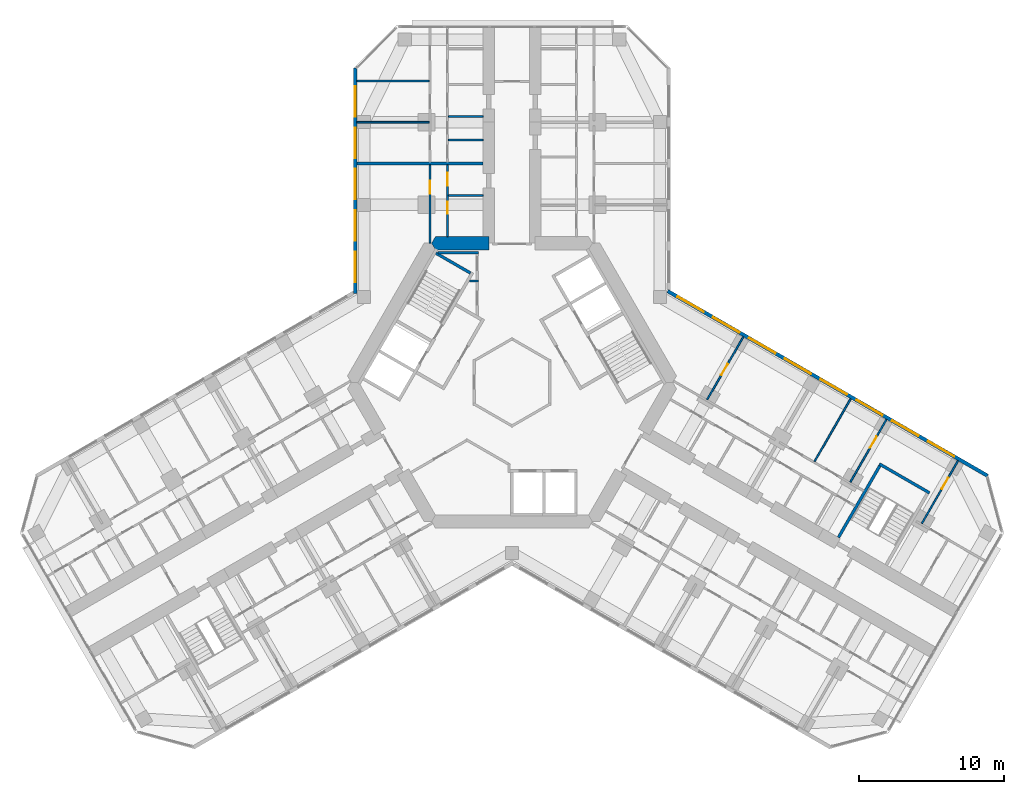
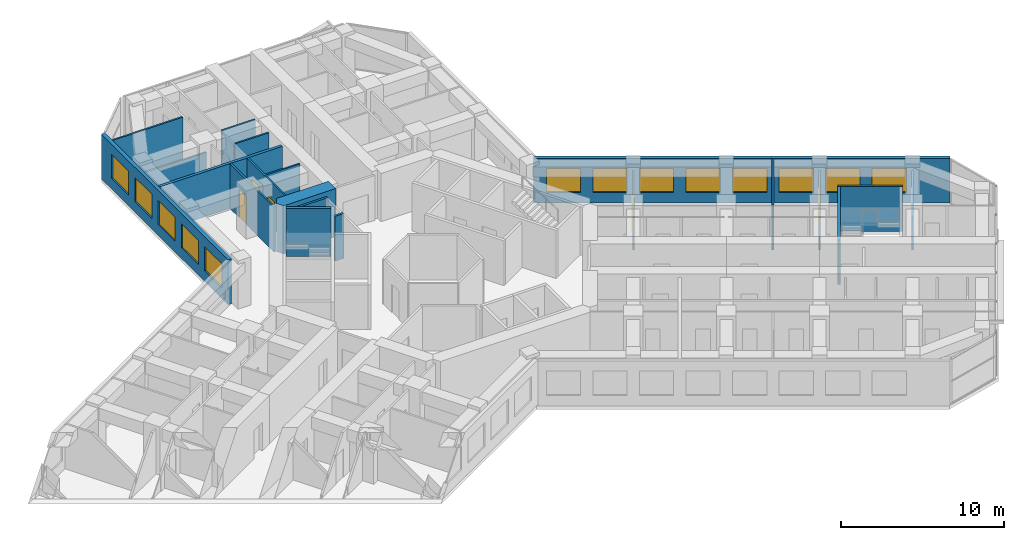
# One storey, part 16 of 19: 20 walls, 13 windows, 6 doors, 19 openings.
"""IFC4 building model written with IfcOpenShell, lengths in metres."""

import ifcopenshell
import ifcopenshell.guid

model = None  # the IFC model being written
_history = None  # IfcOwnerHistory: only IFC2X3 demands one
_inside = {}  # id of a spatial element -> (the spatial element, [elements in it])
_under = {}  # id of a project, library or spatial element -> (it, [spatial elements below it])
_declared = {}  # id of a project -> (the project, [libraries it declares])
_typed = {}  # id of a type object -> (the type object, [elements of that type])
_made_of = {}  # id of a material, layer set ... -> (it, [elements and type objects made of it])


def new_model(schema):
    """Start an empty IFC model of exactly this schema.

    Asked for "IFC4X3", IfcOpenShell would pick the latest addendum, in which some entities
    have other attributes; the version numbers below select the first issue.
    IFC2X3 requires an IfcOwnerHistory on every rooted entity: one is made here for all.
    """
    global model, _history
    if schema == "IFC4X3":
        model = ifcopenshell.file(schema_version=(4, 3, 0, 0))
    else:
        model = ifcopenshell.file(schema=schema)
    _inside.clear()
    _under.clear()
    _declared.clear()
    _typed.clear()
    _made_of.clear()
    _history = None
    if model.schema == "IFC2X3":
        org = make("IfcOrganization", Name="unknown")
        user = make(
            "IfcPersonAndOrganization",
            ThePerson=make("IfcPerson", FamilyName="unknown"),
            TheOrganization=org,
        )
        app = make(
            "IfcApplication",
            ApplicationDeveloper=org,
            Version="unknown",
            ApplicationFullName="unknown",
            ApplicationIdentifier="unknown",
        )
        _history = make(
            "IfcOwnerHistory",
            OwningUser=user,
            OwningApplication=app,
            ChangeAction="ADDED",
            CreationDate=0,
        )
    return model


def make(cls, **values):
    """One entity of the class cls with the attributes given. An attribute that is None is left unset."""
    return model.create_entity(
        cls, **{name: value for name, value in values.items() if value is not None}
    )


def rooted(cls, **values):
    """An entity with a GlobalId (a new one), such as an element, a storey or a relation."""
    return make(cls, GlobalId=ifcopenshell.guid.new(), OwnerHistory=_history, **values)


def si_unit(unit_type, name, prefix=None):
    """IfcSIUnit, for example si_unit("LENGTHUNIT", "METRE", prefix="MILLI")."""
    return make("IfcSIUnit", UnitType=unit_type, Prefix=prefix, Name=name)


def assignment(units):
    """IfcUnitAssignment: the units of a project."""
    return None if units is None else make("IfcUnitAssignment", Units=units)


def point(xyz):
    """IfcCartesianPoint."""
    return None if xyz is None else make("IfcCartesianPoint", Coordinates=xyz)


def direction(xyz):
    """IfcDirection."""
    return None if xyz is None else make("IfcDirection", DirectionRatios=xyz)


def frame(location, z_axis=None, x_axis=None):
    """IfcAxis2Placement3D, a coordinate frame: its origin and axes. An axis left out is left unset."""
    return make(
        "IfcAxis2Placement3D",
        Location=point(location),
        Axis=direction(z_axis),
        RefDirection=direction(x_axis),
    )


def frame_2d(location, x_axis=None):
    """IfcAxis2Placement2D, a coordinate frame in the plane: its origin and x axis."""
    return make(
        "IfcAxis2Placement2D", Location=point(location), RefDirection=direction(x_axis)
    )


def origin():
    """The frame at (0, 0, 0) with its axes left unset."""
    return frame((0.0, 0.0, 0.0))


def place(relative_to, where):
    """IfcLocalPlacement: puts the frame where relative to a parent placement (None: the world)."""
    return make(
        "IfcLocalPlacement", PlacementRelTo=relative_to, RelativePlacement=where
    )


def context(
    kind, dimensions, precision=None, world=None, true_north=None, identifier=None
):
    """IfcGeometricRepresentationContext, for example the 3D "Model" context."""
    return make(
        "IfcGeometricRepresentationContext",
        ContextIdentifier=identifier,
        ContextType=kind,
        CoordinateSpaceDimension=dimensions,
        Precision=precision,
        WorldCoordinateSystem=world,
        TrueNorth=true_north,
    )


def subcontext(parent, identifier, kind, view, scale=None):
    """IfcGeometricRepresentationSubContext, for example "Body" below "Model"."""
    return make(
        "IfcGeometricRepresentationSubContext",
        ContextIdentifier=identifier,
        ContextType=kind,
        ParentContext=parent,
        TargetScale=scale,
        TargetView=view,
    )


def project(units=None, contexts=None):
    """IfcProject with its units and contexts."""
    return rooted(
        "IfcProject",
        Name="project",
        RepresentationContexts=contexts,
        UnitsInContext=assignment(units),
    )


def spatial(cls, under=None, at=None, **own):
    """A site, building, storey or space (cls), placed at a placement, below another one or the project."""
    s = rooted(cls, ObjectPlacement=at, **own)
    if under is not None:
        _under.setdefault(under.id(), (under, []))[1].append(s)
    return s


def polyline(points):
    """IfcPolyline through the points."""
    return make("IfcPolyline", Points=[point(p) for p in points])


def profile(cls, at=None, kind="AREA", **sizes):
    """A parametric profile (cls). Its sizes go by their IFC names, for example OverallWidth=200.0."""
    return make(cls, ProfileType=kind, Position=at, **sizes)


def rectangle(**sizes):
    """IfcRectangleProfileDef."""
    return profile("IfcRectangleProfileDef", **sizes)


def outline(outer, holes=None, kind="AREA"):
    """IfcArbitraryClosedProfileDef: a profile drawn as a closed curve; with holes, ...WithVoids."""
    if holes is None:
        return make("IfcArbitraryClosedProfileDef", ProfileType=kind, OuterCurve=outer)
    return make(
        "IfcArbitraryProfileDefWithVoids",
        ProfileType=kind,
        OuterCurve=outer,
        InnerCurves=holes,
    )


def extrude(swept, where, along, depth):
    """IfcExtrudedAreaSolid: the profile swept, set in the frame where, extruded along a direction by depth."""
    return make(
        "IfcExtrudedAreaSolid",
        SweptArea=swept,
        Position=where,
        ExtrudedDirection=direction(along),
        Depth=depth,
    )


def shape(context_of_items, identifier, shape_type, items):
    """IfcShapeRepresentation: the items that make up one representation, for example the "Body"."""
    return make(
        "IfcShapeRepresentation",
        ContextOfItems=context_of_items,
        RepresentationIdentifier=identifier,
        RepresentationType=shape_type,
        Items=items,
    )


def material(Name=None, Category=None):
    """IfcMaterial."""
    return make("IfcMaterial", Name=Name, Category=Category)


def layer(
    of_material, thickness, ventilated=None, Name=None, Category=None, Priority=None
):
    """IfcMaterialLayer: one layer of a wall or slab, of a material (None: an air gap)."""
    return make(
        "IfcMaterialLayer",
        Material=of_material,
        LayerThickness=thickness,
        IsVentilated=ventilated,
        Name=Name,
        Category=Category,
        Priority=Priority,
    )


def layer_set(layers, Name=None):
    """IfcMaterialLayerSet."""
    return make("IfcMaterialLayerSet", MaterialLayers=layers, LayerSetName=Name)


def made_of(thing, what):
    """Note that an element or type object is made of a material, layer set ...; save() writes the relation."""
    if what is not None:
        _made_of.setdefault(what.id(), (what, []))[1].append(thing)
    return thing


def type_object(cls, material=None, **own):
    """A type object (cls), such as IfcWallType, which elements share."""
    return made_of(rooted(cls, **own), material)


def element(
    cls,
    number,
    at=None,
    inside=None,
    cuts=None,
    type_object=None,
    material=None,
    context=None,
    identifier="Body",
    shape_type=None,
    held_by="IfcProductDefinitionShape",
    body=None,
    shapes=None,
    **own,
):
    """One element of the class cls, such as IfcWall. Its Tag is "e" and its number.

    at: its placement. inside: the storey or other place that contains it. cuts: it is an
    opening in that element (IfcRelVoidsElement). A single representation is given by context,
    identifier, shape_type and body (its items); several are given by shapes. held_by: the class
    of the entity that holds the representations. save() writes the other relations.
    """
    e = rooted(cls, Tag="e%d" % number, ObjectPlacement=at, **own)
    if body is not None:
        shapes = [shape(context, identifier, shape_type, body)]
    if shapes is not None:
        e.Representation = make(held_by, Representations=shapes)
    if inside is not None:
        _inside.setdefault(inside.id(), (inside, []))[1].append(e)
    if cuts is not None:
        rooted(
            "IfcRelVoidsElement", RelatingBuildingElement=cuts, RelatedOpeningElement=e
        )
    if type_object is not None:
        _typed.setdefault(type_object.id(), (type_object, []))[1].append(e)
    return made_of(e, material)


def fill(opening, filler):
    """IfcRelFillsElement: the door or window that sits in an opening."""
    return rooted(
        "IfcRelFillsElement",
        RelatingOpeningElement=opening,
        RelatedBuildingElement=filler,
    )


def aggregate(whole, parts):
    """IfcRelAggregates: a whole, such as a stair, and the parts it consists of."""
    return rooted("IfcRelAggregates", RelatingObject=whole, RelatedObjects=parts)


def save(model, path):
    """Write the relations noted so far, then the file.

    IfcRelAggregates (storeys below a building ...), IfcRelContainedInSpatialStructure (elements
    in a storey), IfcRelDefinesByType, IfcRelAssociatesMaterial and IfcRelDeclares: one each for
    every whole, place, type object, material and project.
    """
    for whole, parts in _under.values():
        aggregate(whole, parts)
    for where, things in _inside.values():
        rooted(
            "IfcRelContainedInSpatialStructure",
            RelatedElements=things,
            RelatingStructure=where,
        )
    for kind, things in _typed.values():
        rooted("IfcRelDefinesByType", RelatedObjects=things, RelatingType=kind)
    for what, things in _made_of.values():
        rooted("IfcRelAssociatesMaterial", RelatedObjects=things, RelatingMaterial=what)
    for by, libraries in _declared.values():
        rooted("IfcRelDeclares", RelatingContext=by, RelatedDefinitions=libraries)
    model.write(path)


model = new_model("IFC4")

# Units and contexts
model_context = context("Model", 3, precision=1e-05, world=origin(), true_north=direction((0.0, 1.0)))
body_context = subcontext(model_context, "Body", "Model", "MODEL_VIEW")
ifc_project = project(units=[si_unit("LENGTHUNIT", "METRE"), si_unit("AREAUNIT", "SQUARE_METRE"), si_unit("VOLUMEUNIT", "CUBIC_METRE"), si_unit("PLANEANGLEUNIT", "RADIAN"), si_unit("MASSUNIT", "GRAM", prefix="KILO")], contexts=[model_context])

# Site, building, storey
site_placement = place(None, origin())
site = spatial("IfcSite", under=ifc_project, at=site_placement, CompositionType="ELEMENT")
building_placement = place(site_placement, origin())
building = spatial("IfcBuilding", under=site, at=building_placement, Name="Kosmar Iwan School Tower", CompositionType="ELEMENT")
storey_placement = place(building_placement, frame((0.0, 0.0, 158.0)))
storey = spatial("IfcBuildingStorey", under=building, at=storey_placement, Name="L39", CompositionType="ELEMENT", Elevation=158.0)

# Walls
ifc_material_1 = material(Name="Gypsum board on steel studs, fire-rated", Category="steel")
ifc_layer_1 = layer(ifc_material_1, 0.14990234375)
ifc_layer_set_1 = layer_set([ifc_layer_1], Name="Core room partition 150")
wall_type_1 = type_object("IfcWallType", Name="Core room partition 150", PredefinedType="PARTITIONING", material=ifc_layer_set_1)
wall_1_placement = place(storey_placement, frame((-2.324951171875, 6.985107421875, 0.0), z_axis=(0.0, 0.0, 1.0), x_axis=(-1.0, 0.0, 0.0)))
element("IfcWall", 1, at=wall_1_placement, inside=storey, type_object=wall_type_1, Name="Core room partition L39-CW2", PredefinedType="PARTITIONING", context=body_context, shape_type="SweptSolid", body=[
    extrude(rectangle(XDim=0.623779296875, YDim=0.14990234375, at=frame_2d((0.31201171875, 0.0))), origin(), (0.0, 0.0, 1.0), 3.35009765625),
])
wall_2_placement = place(storey_placement, frame((-5.089599609375, 8.93994140625, 0.0), z_axis=(0.0, 0.0, 1.0), x_axis=(1.0, 0.0, 0.0)))
element("IfcWall", 2, at=wall_2_placement, inside=storey, type_object=wall_type_1, Name="Core room partition L39-CW3", PredefinedType="PARTITIONING", context=body_context, shape_type="SweptSolid", body=[
    extrude(rectangle(XDim=2.7646484375, YDim=0.14990234375, at=frame_2d((1.38232421875, 0.0))), origin(), (0.0, 0.0, 1.0), 3.35009765625),
])
ifc_material_2 = material(Name="Concrete C50/60", Category="concrete")
ifc_layer_2 = layer(ifc_material_2, 0.89990234375)
ifc_layer_set_2 = layer_set([ifc_layer_2], Name="Core wall 900")
wall_type_2 = type_object("IfcWallType", Name="Core wall 900", PredefinedType="SHEAR", material=ifc_layer_set_2)
wall_3_placement = place(storey_placement, origin())
element("IfcWall", 3, at=wall_3_placement, inside=storey, type_object=wall_type_2, Name="Core wall F090b", PredefinedType="SHEAR", context=body_context, shape_type="SweptSolid", body=[
    extrude(outline(polyline([(-5.28271484375, 9.14990234375), (-1.60009765625, 9.14990234375), (-1.60009765625, 10.050048828125), (-5.28271484375, 10.050048828125), (-5.54248046875, 9.60009765625), (-5.28271484375, 9.14990234375)])), origin(), (0.0, 0.0, 1.0), 3.60009765625),
])

# Wall, openings, doors
ifc_material_3 = material(Name="Gypsum board on steel studs", Category="steel")
ifc_layer_3 = layer(ifc_material_3, 0.1201171875)
ifc_layer_set_3 = layer_set([ifc_layer_3], Name="Dwelling partition 120")
wall_type_3 = type_object("IfcWallType", Name="Dwelling partition 120", PredefinedType="PARTITIONING", material=ifc_layer_set_3)
wall_4_placement = place(storey_placement, frame((-4.449951171875, 10.050048828125, 0.0), z_axis=(0.0, 0.0, 1.0), x_axis=(0.0, 1.0, 0.0)))
wall_4 = element("IfcWall", 4, at=wall_4_placement, inside=storey, type_object=wall_type_3, Name="Partition L39-AL1-W1", PredefinedType="PARTITIONING", context=body_context, shape_type="SweptSolid", body=[
    extrude(rectangle(XDim=4.949951171875, YDim=0.1201171875, at=frame_2d((2.47509765625, 0.0))), origin(), (0.0, 0.0, 1.0), 3.35009765625),
])
opening_1_placement = place(wall_4_placement, frame((1.60009765625, 0.0, 0.0)))
opening_1 = element("IfcOpeningElement", 5, at=opening_1_placement, cuts=wall_4, Name="Opening D3", PredefinedType="OPENING", context=body_context, shape_type="SweptSolid", body=[
    extrude(rectangle(XDim=0.800048828125, YDim=2.10009765625, at=frame_2d((0.39990234375, 1.050048828125))), frame((0.0, 0.072021484375, 0.0), z_axis=(0.0, -1.0, 0.0), x_axis=(1.0, 0.0, 0.0)), (0.0, 0.0, 1.0), 0.14404296875),
])
opening_2_placement = place(wall_4_placement, frame((3.5, 0.0, 0.0)))
opening_2 = element("IfcOpeningElement", 6, at=opening_2_placement, cuts=wall_4, Name="Opening D2", PredefinedType="OPENING", context=body_context, shape_type="SweptSolid", body=[
    extrude(rectangle(XDim=0.89990234375, YDim=2.10009765625, at=frame_2d((0.449951171875, 1.050048828125))), frame((0.0, 0.072021484375, 0.0), z_axis=(0.0, -1.0, 0.0), x_axis=(1.0, 0.0, 0.0)), (0.0, 0.0, 1.0), 0.14404296875),
])
ifc_material_4 = material(Name="Timber door in timber frame", Category="wood")
door_type_1 = type_object("IfcDoorType", Name="Internal door 900x2100", OperationType="SINGLE_SWING_LEFT", PredefinedType="DOOR", material=ifc_material_4)
door_1_placement = place(opening_2_placement, origin())
door_1 = element("IfcDoor", 7, at=door_1_placement, inside=storey, type_object=door_type_1, Name="Entrance hall door L39-AL1-S2", OperationType="SINGLE_SWING_RIGHT", OverallHeight=2.10009765625, OverallWidth=0.89990234375, PredefinedType="DOOR", context=body_context, shape_type="SweptSolid", body=[
    extrude(rectangle(XDim=0.89990234375, YDim=2.10009765625, at=frame_2d((0.449951171875, 1.050048828125))), frame((0.0, 0.02490234375, 0.0), z_axis=(0.0, -1.0, 0.0), x_axis=(1.0, 0.0, 0.0)), (0.0, 0.0, 1.0), 0.050048828125),
])
fill(opening_2, door_1)
ifc_material_5 = material(Name="Timber door in timber frame", Category="wood")
door_type_2 = type_object("IfcDoorType", Name="Sanitary room door 800x2100", OperationType="SINGLE_SWING_LEFT", PredefinedType="DOOR", material=ifc_material_5)
door_2_placement = place(opening_1_placement, origin())
door_2 = element("IfcDoor", 8, at=door_2_placement, inside=storey, type_object=door_type_2, Name="Bathroom door L39-AL1-S1", OperationType="SINGLE_SWING_LEFT", OverallHeight=2.10009765625, OverallWidth=0.800048828125, PredefinedType="DOOR", context=body_context, shape_type="SweptSolid", body=[
    extrude(rectangle(XDim=0.800048828125, YDim=2.10009765625, at=frame_2d((0.39990234375, 1.050048828125))), frame((0.0, 0.02490234375, 0.0), z_axis=(0.0, -1.0, 0.0), x_axis=(1.0, 0.0, 0.0)), (0.0, 0.0, 1.0), 0.050048828125),
])
fill(opening_1, door_2)

# Wall, opening, door
wall_5_placement = place(storey_placement, frame((-5.64990234375, 9.60009765625, 0.0), z_axis=(0.0, 0.0, 1.0), x_axis=(0.0, 1.0, 0.0)))
wall_5 = element("IfcWall", 9, at=wall_5_placement, inside=storey, type_object=wall_type_3, Name="Partition L39-AL1-W2", PredefinedType="PARTITIONING", context=body_context, shape_type="SweptSolid", body=[
    extrude(rectangle(XDim=5.39990234375, YDim=0.1201171875, at=frame_2d((2.699951171875, 0.0))), origin(), (0.0, 0.0, 1.0), 3.35009765625),
])
opening_3_placement = place(wall_5_placement, frame((3.39990234375, 0.0, 0.0)))
opening_3 = element("IfcOpeningElement", 10, at=opening_3_placement, cuts=wall_5, Name="Opening D2", PredefinedType="OPENING", context=body_context, shape_type="SweptSolid", body=[
    extrude(rectangle(XDim=0.89990234375, YDim=2.10009765625, at=frame_2d((0.449951171875, 1.050048828125))), frame((0.0, 0.072021484375, 0.0), z_axis=(0.0, -1.0, 0.0), x_axis=(1.0, 0.0, 0.0)), (0.0, 0.0, 1.0), 0.14404296875),
])
door_3_placement = place(opening_3_placement, origin())
door_3 = element("IfcDoor", 11, at=door_3_placement, inside=storey, type_object=door_type_1, Name="Studio living room and kitchen door L39-AL1-F1", OperationType="SINGLE_SWING_RIGHT", OverallHeight=2.10009765625, OverallWidth=0.89990234375, PredefinedType="DOOR", context=body_context, shape_type="SweptSolid", body=[
    extrude(rectangle(XDim=0.89990234375, YDim=2.10009765625, at=frame_2d((0.449951171875, 1.050048828125))), frame((0.0, 0.02490234375, 0.0), z_axis=(0.0, -1.0, 0.0), x_axis=(1.0, 0.0, 0.0)), (0.0, 0.0, 1.0), 0.050048828125),
])
fill(opening_3, door_3)

# Walls
wall_6_placement = place(storey_placement, frame((-2.0, 12.89990234375, 0.0), z_axis=(0.0, 0.0, 1.0), x_axis=(-1.0, 0.0, 0.0)))
element("IfcWall", 12, at=wall_6_placement, inside=storey, type_object=wall_type_3, Name="Partition L39-AL1-Y1", PredefinedType="PARTITIONING", context=body_context, shape_type="SweptSolid", body=[
    extrude(rectangle(XDim=2.389892578125, YDim=0.1201171875, at=frame_2d((1.19482421875, 0.0))), origin(), (0.0, 0.0, 1.0), 3.35009765625),
])
wall_7_placement = place(storey_placement, frame((-5.7099609375, 17.949951171875, 0.0), z_axis=(0.0, 0.0, 1.0), x_axis=(-1.0, 0.0, 0.0)))
element("IfcWall", 13, at=wall_7_placement, inside=storey, type_object=wall_type_3, Name="Partition L39-AL2-X1", PredefinedType="PARTITIONING", context=body_context, shape_type="SweptSolid", body=[
    extrude(rectangle(XDim=4.989990234375, YDim=0.1201171875, at=frame_2d((2.4951171875, 0.0))), origin(), (0.0, 0.0, 1.0), 2.449951171875),
])
wall_8_placement = place(storey_placement, frame((-5.7099609375, 20.800048828125, 0.0), z_axis=(0.0, 0.0, 1.0), x_axis=(-1.0, 0.0, 0.0)))
element("IfcWall", 14, at=wall_8_placement, inside=storey, type_object=wall_type_3, Name="Partition L39-AL2-X2", PredefinedType="PARTITIONING", context=body_context, shape_type="SweptSolid", body=[
    extrude(rectangle(XDim=4.989990234375, YDim=0.1201171875, at=frame_2d((2.4951171875, 0.0))), origin(), (0.0, 0.0, 1.0), 3.35009765625),
])
for number, where, z_axis, x_axis, name in (
    (15, (-2.0, 16.72509765625, 0.0), (0.0, 0.0, 1.0), (-1.0, 0.0, 0.0), "Partition L39-AL2-Y1"),
    (16, (-2.0, 18.35009765625, 0.0), (0.0, 0.0, 1.0), (-1.0, 0.0, 0.0), "Partition L39-AL2-Y2"),
):
    element("IfcWall", number, at=place(storey_placement, frame(where, z_axis=z_axis, x_axis=x_axis)), inside=storey, type_object=wall_type_3, Name=name, PredefinedType="PARTITIONING", context=body_context, shape_type="SweptSolid", body=[
        extrude(rectangle(XDim=2.389892578125, YDim=0.1201171875, at=frame_2d((1.19482421875, 0.0))), origin(), (0.0, 0.0, 1.0), 3.35009765625),
    ])

# Wall, opening, door
wall_9_placement = place(storey_placement, frame((13.4638671875, -1.179931640625, 0.0), z_axis=(0.0, 0.0, 1.0), x_axis=(0.499975153383, 0.86603974851, 0.0)))
wall_9 = element("IfcWall", 17, at=wall_9_placement, inside=storey, type_object=wall_type_3, Name="Partition L39-CL1-X1", PredefinedType="PARTITIONING", context=body_context, shape_type="SweptSolid", body=[
    extrude(rectangle(XDim=4.989990234375, YDim=0.1201171875, at=frame_2d((2.4951171875, 0.0))), origin(), (0.0, 0.0, 1.0), 2.449951171875),
])
opening_4_placement = place(wall_9_placement, frame((1.93994140625, 0.0, 0.0)))
opening_4 = element("IfcOpeningElement", 18, at=opening_4_placement, cuts=wall_9, Name="Opening D2", PredefinedType="OPENING", context=body_context, shape_type="SweptSolid", body=[
    extrude(rectangle(XDim=0.89990234375, YDim=2.10009765625, at=frame_2d((0.449951171875, 1.050048828125))), frame((0.0, 0.072021484375, 0.0), z_axis=(0.0, -1.0, 0.0), x_axis=(1.0, 0.0, 0.0)), (0.0, 0.0, 1.0), 0.14404296875),
])
door_4_placement = place(opening_4_placement, origin())
door_4 = element("IfcDoor", 19, at=door_4_placement, inside=storey, type_object=door_type_1, Name="Kitchen and dining room door L39-CL1-F1", OperationType="SINGLE_SWING_LEFT", OverallHeight=2.10009765625, OverallWidth=0.89990234375, PredefinedType="DOOR", context=body_context, shape_type="SweptSolid", body=[
    extrude(rectangle(XDim=0.89990234375, YDim=2.10009765625, at=frame_2d((0.449951171875, 1.050048828125))), frame((0.0, 0.02490234375, 0.0), z_axis=(0.0, -1.0, 0.0), x_axis=(1.0, 0.0, 0.0)), (0.0, 0.0, 1.0), 0.050048828125),
])
fill(opening_4, door_4)

# Wall
wall_10_placement = place(storey_placement, frame((20.868408203125, -5.455078125, 0.0), z_axis=(0.0, 0.0, 1.0), x_axis=(0.499975153383, 0.86603974851, 0.0)))
element("IfcWall", 20, at=wall_10_placement, inside=storey, type_object=wall_type_3, Name="Partition L39-CL2-X1", PredefinedType="PARTITIONING", context=body_context, shape_type="SweptSolid", body=[
    extrude(rectangle(XDim=4.989990234375, YDim=0.1201171875, at=frame_2d((2.4951171875, 0.0))), origin(), (0.0, 0.0, 1.0), 3.35009765625),
])

# Wall, opening, door
wall_11_placement = place(storey_placement, frame((23.33642578125, -6.8798828125, 0.0), z_axis=(0.0, 0.0, 1.0), x_axis=(0.500033033937, 0.866006330792, 0.0)))
wall_11 = element("IfcWall", 21, at=wall_11_placement, inside=storey, type_object=wall_type_3, Name="Partition L39-CL2-TB", PredefinedType="PARTITIONING", context=body_context, shape_type="SweptSolid", body=[
    extrude(rectangle(XDim=4.989990234375, YDim=0.1201171875, at=frame_2d((2.4951171875, 0.0))), origin(), (0.0, 0.0, 1.0), 2.449951171875),
])
opening_5_placement = place(wall_11_placement, frame((2.739990234375, 0.0, 0.0)))
opening_5 = element("IfcOpeningElement", 22, at=opening_5_placement, cuts=wall_11, Name="Opening D2", PredefinedType="OPENING", context=body_context, shape_type="SweptSolid", body=[
    extrude(rectangle(XDim=0.89990234375, YDim=2.10009765625, at=frame_2d((0.449951171875, 1.050048828125))), frame((0.0, 0.072021484375, 0.0), z_axis=(0.0, -1.0, 0.0), x_axis=(1.0, 0.0, 0.0)), (0.0, 0.0, 1.0), 0.14404296875),
])
door_5_placement = place(opening_5_placement, origin())
door_5 = element("IfcDoor", 23, at=door_5_placement, inside=storey, type_object=door_type_1, Name="Study door L39-CL2-F2", OperationType="SINGLE_SWING_RIGHT", OverallHeight=2.10009765625, OverallWidth=0.89990234375, PredefinedType="DOOR", context=body_context, shape_type="SweptSolid", body=[
    extrude(rectangle(XDim=0.89990234375, YDim=2.10009765625, at=frame_2d((0.449951171875, 1.050048828125))), frame((0.0, 0.02490234375, 0.0), z_axis=(0.0, -1.0, 0.0), x_axis=(1.0, 0.0, 0.0)), (0.0, 0.0, 1.0), 0.050048828125),
])
fill(opening_5, door_5)

wall_12_placement = place(storey_placement, frame((28.27294921875, -9.72998046875, 0.0), z_axis=(0.0, 0.0, 1.0), x_axis=(0.499975153383, 0.86603974851, 0.0)))
wall_12 = element("IfcWall", 24, at=wall_12_placement, inside=storey, type_object=wall_type_3, Name="Partition L39-CL2-TX", PredefinedType="PARTITIONING", context=body_context, shape_type="SweptSolid", body=[
    extrude(rectangle(XDim=4.989990234375, YDim=0.1201171875, at=frame_2d((2.4951171875, 0.0))), origin(), (0.0, 0.0, 1.0), 2.449951171875),
])
opening_6_placement = place(wall_12_placement, frame((2.739990234375, 0.0, 0.0)))
opening_6 = element("IfcOpeningElement", 25, at=opening_6_placement, cuts=wall_12, Name="Opening D2", PredefinedType="OPENING", context=body_context, shape_type="SweptSolid", body=[
    extrude(rectangle(XDim=0.89990234375, YDim=2.10009765625, at=frame_2d((0.449951171875, 1.050048828125))), frame((0.0, 0.072021484375, 0.0), z_axis=(0.0, -1.0, 0.0), x_axis=(1.0, 0.0, 0.0)), (0.0, 0.0, 1.0), 0.14404296875),
])
door_6_placement = place(opening_6_placement, origin())
door_6 = element("IfcDoor", 26, at=door_6_placement, inside=storey, type_object=door_type_1, Name="Study door L39-CL2-T1", OperationType="SINGLE_SWING_RIGHT", OverallHeight=2.10009765625, OverallWidth=0.89990234375, PredefinedType="DOOR", context=body_context, shape_type="SweptSolid", body=[
    extrude(rectangle(XDim=0.89990234375, YDim=2.10009765625, at=frame_2d((0.449951171875, 1.050048828125))), frame((0.0, 0.02490234375, 0.0), z_axis=(0.0, -1.0, 0.0), x_axis=(1.0, 0.0, 0.0)), (0.0, 0.0, 1.0), 0.050048828125),
])
fill(opening_6, door_6)

# Walls
ifc_material_6 = material(Name="Concrete C35/45", Category="concrete")
ifc_layer_4 = layer(ifc_material_6, 0.199951171875)
ifc_layer_set_4 = layer_set([ifc_layer_4], Name="Escape stair wall 200")
wall_type_4 = type_object("IfcWallType", Name="Escape stair wall 200", PredefinedType="SHEAR", material=ifc_layer_set_4)
wall_13_placement = place(storey_placement, frame((22.520751953125, -10.69287109375, 0.0), z_axis=(0.0, 0.0, 1.0), x_axis=(0.500006628179, 0.86602157697, 0.0)))
element("IfcWall", 27, at=wall_13_placement, inside=storey, type_object=wall_type_4, Name="Stair WS3 wall", PredefinedType="SHEAR", context=body_context, shape_type="SweptSolid", body=[
    extrude(rectangle(XDim=5.89990234375, YDim=0.199951171875, at=frame_2d((2.949951171875, 0.0))), origin(), (0.0, 0.0, 1.0), 3.330078125),
])
wall_14_placement = place(storey_placement, frame((25.334228515625, -5.6201171875, 0.0), z_axis=(0.0, 0.0, 1.0), x_axis=(0.866026010844, -0.49999894854, 0.0)))
element("IfcWall", 28, at=wall_14_placement, inside=storey, type_object=wall_type_4, Name="Stair WS3 wall", PredefinedType="SHEAR", context=body_context, shape_type="SweptSolid", body=[
    extrude(rectangle(XDim=4.0, YDim=0.199951171875, at=frame_2d((2.0, 0.0))), origin(), (0.0, 0.0, 1.0), 3.330078125),
])

# Wall, openings, windows
ifc_material_7 = material(Name="Black aluminium rainscreen on insulated framing", Category="aluminium")
ifc_layer_5 = layer(ifc_material_7, 0.25)
ifc_layer_set_5 = layer_set([ifc_layer_5], Name="External wall rainscreen 250")
wall_type_5 = type_object("IfcWallType", Name="External wall rainscreen 250", PredefinedType="SOLIDWALL", material=ifc_layer_set_5)
wall_15_placement = place(storey_placement, frame((10.73681640625, 6.30078125, 0.0), z_axis=(0.0, 0.0, 1.0), x_axis=(0.866026390279, -0.499998291337, 0.0)))
wall_15 = element("IfcWall", 29, at=wall_15_placement, inside=storey, type_object=wall_type_5, Name="External wall CL L39", PredefinedType="SOLIDWALL", context=body_context, shape_type="SweptSolid", body=[
    extrude(rectangle(XDim=25.4873046875, YDim=0.25, at=frame_2d((12.74365234375, 0.0))), origin(), (0.0, 0.0, 1.0), 3.35009765625),
])
opening_7_placement = place(wall_15_placement, frame((0.777099609375, 0.0, 0.800048828125)))
opening_7 = element("IfcOpeningElement", 30, at=opening_7_placement, cuts=wall_15, Name="Opening W4", PredefinedType="OPENING", context=body_context, shape_type="SweptSolid", body=[
    extrude(rectangle(XDim=2.10009765625, YDim=1.800048828125, at=frame_2d((1.050048828125, 0.89990234375))), frame((0.0, 0.136962890625, 0.0), z_axis=(0.0, -1.0, 0.0), x_axis=(1.0, 0.0, 0.0)), (0.0, 0.0, 1.0), 0.27392578125),
])
opening_8_placement = place(wall_15_placement, frame((3.626953125, 0.0, 0.800048828125)))
opening_8 = element("IfcOpeningElement", 31, at=opening_8_placement, cuts=wall_15, Name="Opening W4", PredefinedType="OPENING", context=body_context, shape_type="SweptSolid", body=[
    extrude(rectangle(XDim=2.10009765625, YDim=1.800048828125, at=frame_2d((1.050048828125, 0.89990234375))), frame((0.0, 0.136962890625, 0.0), z_axis=(0.0, -1.0, 0.0), x_axis=(1.0, 0.0, 0.0)), (0.0, 0.0, 1.0), 0.27392578125),
])
opening_9_placement = place(wall_15_placement, frame((6.47705078125, 0.0, 0.800048828125)))
opening_9 = element("IfcOpeningElement", 32, at=opening_9_placement, cuts=wall_15, Name="Opening W4", PredefinedType="OPENING", context=body_context, shape_type="SweptSolid", body=[
    extrude(rectangle(XDim=2.10009765625, YDim=1.800048828125, at=frame_2d((1.050048828125, 0.89990234375))), frame((0.0, 0.136962890625, 0.0), z_axis=(0.0, -1.0, 0.0), x_axis=(1.0, 0.0, 0.0)), (0.0, 0.0, 1.0), 0.27392578125),
])
opening_10_placement = place(wall_15_placement, frame((9.326904296875, 0.0, 0.800048828125)))
opening_10 = element("IfcOpeningElement", 33, at=opening_10_placement, cuts=wall_15, Name="Opening W4", PredefinedType="OPENING", context=body_context, shape_type="SweptSolid", body=[
    extrude(rectangle(XDim=2.10009765625, YDim=1.800048828125, at=frame_2d((1.050048828125, 0.89990234375))), frame((0.0, 0.136962890625, 0.0), z_axis=(0.0, -1.0, 0.0), x_axis=(1.0, 0.0, 0.0)), (0.0, 0.0, 1.0), 0.27392578125),
])
opening_11_placement = place(wall_15_placement, frame((12.177001953125, 0.0, 0.800048828125)))
opening_11 = element("IfcOpeningElement", 34, at=opening_11_placement, cuts=wall_15, Name="Opening W4", PredefinedType="OPENING", context=body_context, shape_type="SweptSolid", body=[
    extrude(rectangle(XDim=2.10009765625, YDim=1.800048828125, at=frame_2d((1.050048828125, 0.89990234375))), frame((0.0, 0.136962890625, 0.0), z_axis=(0.0, -1.0, 0.0), x_axis=(1.0, 0.0, 0.0)), (0.0, 0.0, 1.0), 0.27392578125),
])
opening_12_placement = place(wall_15_placement, frame((15.027099609375, 0.0, 0.800048828125)))
opening_12 = element("IfcOpeningElement", 35, at=opening_12_placement, cuts=wall_15, Name="Opening W4", PredefinedType="OPENING", context=body_context, shape_type="SweptSolid", body=[
    extrude(rectangle(XDim=2.10009765625, YDim=1.800048828125, at=frame_2d((1.050048828125, 0.89990234375))), frame((0.0, 0.136962890625, 0.0), z_axis=(0.0, -1.0, 0.0), x_axis=(1.0, 0.0, 0.0)), (0.0, 0.0, 1.0), 0.27392578125),
])
opening_13_placement = place(wall_15_placement, frame((17.876953125, 0.0, 0.800048828125)))
opening_13 = element("IfcOpeningElement", 36, at=opening_13_placement, cuts=wall_15, Name="Opening W4", PredefinedType="OPENING", context=body_context, shape_type="SweptSolid", body=[
    extrude(rectangle(XDim=2.10009765625, YDim=1.800048828125, at=frame_2d((1.050048828125, 0.89990234375))), frame((0.0, 0.136962890625, 0.0), z_axis=(0.0, -1.0, 0.0), x_axis=(1.0, 0.0, 0.0)), (0.0, 0.0, 1.0), 0.27392578125),
])
opening_14_placement = place(wall_15_placement, frame((20.72705078125, 0.0, 0.800048828125)))
opening_14 = element("IfcOpeningElement", 37, at=opening_14_placement, cuts=wall_15, Name="Opening W4", PredefinedType="OPENING", context=body_context, shape_type="SweptSolid", body=[
    extrude(rectangle(XDim=2.10009765625, YDim=1.800048828125, at=frame_2d((1.050048828125, 0.89990234375))), frame((0.0, 0.136962890625, 0.0), z_axis=(0.0, -1.0, 0.0), x_axis=(1.0, 0.0, 0.0)), (0.0, 0.0, 1.0), 0.27392578125),
])
ifc_material_8 = material(Name="Black aluminium frame with dark triple glazing", Category="aluminium")
window_type = type_object("IfcWindowType", Name="Window 2100x1800", PartitioningType="SINGLE_PANEL", PredefinedType="WINDOW", material=ifc_material_8)
window_1_placement = place(opening_7_placement, origin())
window_1 = element("IfcWindow", 38, at=window_1_placement, inside=storey, type_object=window_type, Name="Window CL L39 -1", OverallHeight=1.800048828125, OverallWidth=2.10009765625, PartitioningType="SINGLE_PANEL", PredefinedType="WINDOW", context=body_context, shape_type="SweptSolid", body=[
    extrude(rectangle(XDim=2.10009765625, YDim=1.800048828125, at=frame_2d((1.050048828125, 0.89990234375))), frame((0.0, 0.030029296875, 0.0), z_axis=(0.0, -1.0, 0.0), x_axis=(1.0, 0.0, 0.0)), (0.0, 0.0, 1.0), 0.06005859375),
])
fill(opening_7, window_1)
window_2_placement = place(opening_8_placement, origin())
window_2 = element("IfcWindow", 39, at=window_2_placement, inside=storey, type_object=window_type, Name="Window CL L39 0", OverallHeight=1.800048828125, OverallWidth=2.10009765625, PartitioningType="SINGLE_PANEL", PredefinedType="WINDOW", context=body_context, shape_type="SweptSolid", body=[
    extrude(rectangle(XDim=2.10009765625, YDim=1.800048828125, at=frame_2d((1.050048828125, 0.89990234375))), frame((0.0, 0.030029296875, 0.0), z_axis=(0.0, -1.0, 0.0), x_axis=(1.0, 0.0, 0.0)), (0.0, 0.0, 1.0), 0.06005859375),
])
fill(opening_8, window_2)
window_3_placement = place(opening_9_placement, origin())
window_3 = element("IfcWindow", 40, at=window_3_placement, inside=storey, type_object=window_type, Name="Window CL L39 1", OverallHeight=1.800048828125, OverallWidth=2.10009765625, PartitioningType="SINGLE_PANEL", PredefinedType="WINDOW", context=body_context, shape_type="SweptSolid", body=[
    extrude(rectangle(XDim=2.10009765625, YDim=1.800048828125, at=frame_2d((1.050048828125, 0.89990234375))), frame((0.0, 0.030029296875, 0.0), z_axis=(0.0, -1.0, 0.0), x_axis=(1.0, 0.0, 0.0)), (0.0, 0.0, 1.0), 0.06005859375),
])
fill(opening_9, window_3)
window_4_placement = place(opening_10_placement, origin())
window_4 = element("IfcWindow", 41, at=window_4_placement, inside=storey, type_object=window_type, Name="Window CL L39 2", OverallHeight=1.800048828125, OverallWidth=2.10009765625, PartitioningType="SINGLE_PANEL", PredefinedType="WINDOW", context=body_context, shape_type="SweptSolid", body=[
    extrude(rectangle(XDim=2.10009765625, YDim=1.800048828125, at=frame_2d((1.050048828125, 0.89990234375))), frame((0.0, 0.030029296875, 0.0), z_axis=(0.0, -1.0, 0.0), x_axis=(1.0, 0.0, 0.0)), (0.0, 0.0, 1.0), 0.06005859375),
])
fill(opening_10, window_4)
window_5_placement = place(opening_11_placement, origin())
window_5 = element("IfcWindow", 42, at=window_5_placement, inside=storey, type_object=window_type, Name="Window CL L39 3", OverallHeight=1.800048828125, OverallWidth=2.10009765625, PartitioningType="SINGLE_PANEL", PredefinedType="WINDOW", context=body_context, shape_type="SweptSolid", body=[
    extrude(rectangle(XDim=2.10009765625, YDim=1.800048828125, at=frame_2d((1.050048828125, 0.89990234375))), frame((0.0, 0.030029296875, 0.0), z_axis=(0.0, -1.0, 0.0), x_axis=(1.0, 0.0, 0.0)), (0.0, 0.0, 1.0), 0.06005859375),
])
fill(opening_11, window_5)
window_6_placement = place(opening_12_placement, origin())
window_6 = element("IfcWindow", 43, at=window_6_placement, inside=storey, type_object=window_type, Name="Window CL L39 4", OverallHeight=1.800048828125, OverallWidth=2.10009765625, PartitioningType="SINGLE_PANEL", PredefinedType="WINDOW", context=body_context, shape_type="SweptSolid", body=[
    extrude(rectangle(XDim=2.10009765625, YDim=1.800048828125, at=frame_2d((1.050048828125, 0.89990234375))), frame((0.0, 0.030029296875, 0.0), z_axis=(0.0, -1.0, 0.0), x_axis=(1.0, 0.0, 0.0)), (0.0, 0.0, 1.0), 0.06005859375),
])
fill(opening_12, window_6)
window_7_placement = place(opening_13_placement, origin())
window_7 = element("IfcWindow", 44, at=window_7_placement, inside=storey, type_object=window_type, Name="Window CL L39 5", OverallHeight=1.800048828125, OverallWidth=2.10009765625, PartitioningType="SINGLE_PANEL", PredefinedType="WINDOW", context=body_context, shape_type="SweptSolid", body=[
    extrude(rectangle(XDim=2.10009765625, YDim=1.800048828125, at=frame_2d((1.050048828125, 0.89990234375))), frame((0.0, 0.030029296875, 0.0), z_axis=(0.0, -1.0, 0.0), x_axis=(1.0, 0.0, 0.0)), (0.0, 0.0, 1.0), 0.06005859375),
])
fill(opening_13, window_7)
window_8_placement = place(opening_14_placement, origin())
window_8 = element("IfcWindow", 45, at=window_8_placement, inside=storey, type_object=window_type, Name="Window CL L39 6", OverallHeight=1.800048828125, OverallWidth=2.10009765625, PartitioningType="SINGLE_PANEL", PredefinedType="WINDOW", context=body_context, shape_type="SweptSolid", body=[
    extrude(rectangle(XDim=2.10009765625, YDim=1.800048828125, at=frame_2d((1.050048828125, 0.89990234375))), frame((0.0, 0.030029296875, 0.0), z_axis=(0.0, -1.0, 0.0), x_axis=(1.0, 0.0, 0.0)), (0.0, 0.0, 1.0), 0.06005859375),
])
fill(opening_14, window_8)

wall_16_placement = place(storey_placement, frame((-10.824951171875, 6.14794921875, 0.0), z_axis=(0.0, 0.0, 1.0), x_axis=(0.0, 1.0, 0.0)))
wall_16 = element("IfcWall", 46, at=wall_16_placement, inside=storey, type_object=wall_type_5, Name="External wall AL L39", PredefinedType="SOLIDWALL", context=body_context, shape_type="SweptSolid", body=[
    extrude(rectangle(XDim=15.537353515625, YDim=0.25, at=frame_2d((7.7685546875, 0.0))), origin(), (0.0, 0.0, 1.0), 3.35009765625),
])
opening_15_placement = place(wall_16_placement, frame((0.777099609375, 0.0, 0.800048828125)))
opening_15 = element("IfcOpeningElement", 47, at=opening_15_placement, cuts=wall_16, Name="Opening W4", PredefinedType="OPENING", context=body_context, shape_type="SweptSolid", body=[
    extrude(rectangle(XDim=2.10009765625, YDim=1.800048828125, at=frame_2d((1.050048828125, 0.89990234375))), frame((0.0, 0.136962890625, 0.0), z_axis=(0.0, -1.0, 0.0), x_axis=(1.0, 0.0, 0.0)), (0.0, 0.0, 1.0), 0.27392578125),
])
opening_16_placement = place(wall_16_placement, frame((3.626953125, 0.0, 0.800048828125)))
opening_16 = element("IfcOpeningElement", 48, at=opening_16_placement, cuts=wall_16, Name="Opening W4", PredefinedType="OPENING", context=body_context, shape_type="SweptSolid", body=[
    extrude(rectangle(XDim=2.10009765625, YDim=1.800048828125, at=frame_2d((1.050048828125, 0.89990234375))), frame((0.0, 0.136962890625, 0.0), z_axis=(0.0, -1.0, 0.0), x_axis=(1.0, 0.0, 0.0)), (0.0, 0.0, 1.0), 0.27392578125),
])
opening_17_placement = place(wall_16_placement, frame((6.47705078125, 0.0, 0.800048828125)))
opening_17 = element("IfcOpeningElement", 49, at=opening_17_placement, cuts=wall_16, Name="Opening W4", PredefinedType="OPENING", context=body_context, shape_type="SweptSolid", body=[
    extrude(rectangle(XDim=2.10009765625, YDim=1.800048828125, at=frame_2d((1.050048828125, 0.89990234375))), frame((0.0, 0.136962890625, 0.0), z_axis=(0.0, -1.0, 0.0), x_axis=(1.0, 0.0, 0.0)), (0.0, 0.0, 1.0), 0.27392578125),
])
opening_18_placement = place(wall_16_placement, frame((9.326904296875, 0.0, 0.800048828125)))
opening_18 = element("IfcOpeningElement", 50, at=opening_18_placement, cuts=wall_16, Name="Opening W4", PredefinedType="OPENING", context=body_context, shape_type="SweptSolid", body=[
    extrude(rectangle(XDim=2.10009765625, YDim=1.800048828125, at=frame_2d((1.050048828125, 0.89990234375))), frame((0.0, 0.136962890625, 0.0), z_axis=(0.0, -1.0, 0.0), x_axis=(1.0, 0.0, 0.0)), (0.0, 0.0, 1.0), 0.27392578125),
])
opening_19_placement = place(wall_16_placement, frame((12.177001953125, 0.0, 0.800048828125)))
opening_19 = element("IfcOpeningElement", 51, at=opening_19_placement, cuts=wall_16, Name="Opening W4", PredefinedType="OPENING", context=body_context, shape_type="SweptSolid", body=[
    extrude(rectangle(XDim=2.10009765625, YDim=1.800048828125, at=frame_2d((1.050048828125, 0.89990234375))), frame((0.0, 0.136962890625, 0.0), z_axis=(0.0, -1.0, 0.0), x_axis=(1.0, 0.0, 0.0)), (0.0, 0.0, 1.0), 0.27392578125),
])
window_9_placement = place(opening_15_placement, origin())
window_9 = element("IfcWindow", 52, at=window_9_placement, inside=storey, type_object=window_type, Name="Window AL L39 -1", OverallHeight=1.800048828125, OverallWidth=2.10009765625, PartitioningType="SINGLE_PANEL", PredefinedType="WINDOW", context=body_context, shape_type="SweptSolid", body=[
    extrude(rectangle(XDim=2.10009765625, YDim=1.800048828125, at=frame_2d((1.050048828125, 0.89990234375))), frame((0.0, 0.030029296875, 0.0), z_axis=(0.0, -1.0, 0.0), x_axis=(1.0, 0.0, 0.0)), (0.0, 0.0, 1.0), 0.06005859375),
])
fill(opening_15, window_9)
window_10_placement = place(opening_16_placement, origin())
window_10 = element("IfcWindow", 53, at=window_10_placement, inside=storey, type_object=window_type, Name="Window AL L39 0", OverallHeight=1.800048828125, OverallWidth=2.10009765625, PartitioningType="SINGLE_PANEL", PredefinedType="WINDOW", context=body_context, shape_type="SweptSolid", body=[
    extrude(rectangle(XDim=2.10009765625, YDim=1.800048828125, at=frame_2d((1.050048828125, 0.89990234375))), frame((0.0, 0.030029296875, 0.0), z_axis=(0.0, -1.0, 0.0), x_axis=(1.0, 0.0, 0.0)), (0.0, 0.0, 1.0), 0.06005859375),
])
fill(opening_16, window_10)
window_11_placement = place(opening_17_placement, origin())
window_11 = element("IfcWindow", 54, at=window_11_placement, inside=storey, type_object=window_type, Name="Window AL L39 1", OverallHeight=1.800048828125, OverallWidth=2.10009765625, PartitioningType="SINGLE_PANEL", PredefinedType="WINDOW", context=body_context, shape_type="SweptSolid", body=[
    extrude(rectangle(XDim=2.10009765625, YDim=1.800048828125, at=frame_2d((1.050048828125, 0.89990234375))), frame((0.0, 0.030029296875, 0.0), z_axis=(0.0, -1.0, 0.0), x_axis=(1.0, 0.0, 0.0)), (0.0, 0.0, 1.0), 0.06005859375),
])
fill(opening_17, window_11)
window_12_placement = place(opening_18_placement, origin())
window_12 = element("IfcWindow", 55, at=window_12_placement, inside=storey, type_object=window_type, Name="Window AL L39 2", OverallHeight=1.800048828125, OverallWidth=2.10009765625, PartitioningType="SINGLE_PANEL", PredefinedType="WINDOW", context=body_context, shape_type="SweptSolid", body=[
    extrude(rectangle(XDim=2.10009765625, YDim=1.800048828125, at=frame_2d((1.050048828125, 0.89990234375))), frame((0.0, 0.030029296875, 0.0), z_axis=(0.0, -1.0, 0.0), x_axis=(1.0, 0.0, 0.0)), (0.0, 0.0, 1.0), 0.06005859375),
])
fill(opening_18, window_12)
window_13_placement = place(opening_19_placement, origin())
window_13 = element("IfcWindow", 56, at=window_13_placement, inside=storey, type_object=window_type, Name="Window AL L39 3", OverallHeight=1.800048828125, OverallWidth=2.10009765625, PartitioningType="SINGLE_PANEL", PredefinedType="WINDOW", context=body_context, shape_type="SweptSolid", body=[
    extrude(rectangle(XDim=2.10009765625, YDim=1.800048828125, at=frame_2d((1.050048828125, 0.89990234375))), frame((0.0, 0.030029296875, 0.0), z_axis=(0.0, -1.0, 0.0), x_axis=(1.0, 0.0, 0.0)), (0.0, 0.0, 1.0), 0.06005859375),
])
fill(opening_19, window_13)

# Walls
ifc_material_9 = material(Name="Concrete block masonry", Category="masonry")
ifc_layer_6 = layer(ifc_material_9, 0.199951171875)
ifc_layer_set_6 = layer_set([ifc_layer_6], Name="Party wall 200")
wall_type_6 = type_object("IfcWallType", Name="Party wall 200", PredefinedType="PARTITIONING", material=ifc_layer_set_6)
wall_17_placement = place(storey_placement, frame((-2.0, 15.10009765625, 0.0), z_axis=(0.0, 0.0, 1.0), x_axis=(-1.0, 0.0, 0.0)))
element("IfcWall", 57, at=wall_17_placement, inside=storey, type_object=wall_type_6, Name="Partition L39-AL2-PW", PredefinedType="PARTITIONING", context=body_context, shape_type="SweptSolid", body=[
    extrude(rectangle(XDim=8.699951171875, YDim=0.199951171875, at=frame_2d((4.35009765625, 0.0))), origin(), (0.0, 0.0, 1.0), 3.35009765625),
])
ifc_material_10 = material(Name="Concrete C50/60", Category="concrete")
ifc_layer_7 = layer(ifc_material_10, 0.199951171875)
ifc_layer_set_7 = layer_set([ifc_layer_7], Name="Stair enclosure wall 200")
wall_type_7 = type_object("IfcWallType", Name="Stair enclosure wall 200", PredefinedType="SHEAR", material=ifc_layer_set_7)
wall_18_placement = place(storey_placement, frame((-2.862548828125, 7.541748046875, 0.0), z_axis=(0.0, 0.0, 1.0), x_axis=(-0.866027397988, 0.499996545922, 0.0)))
element("IfcWall", 58, at=wall_18_placement, inside=storey, type_object=wall_type_7, Name="Stair ST2 wall", PredefinedType="SHEAR", context=body_context, shape_type="SweptSolid", body=[
    extrude(rectangle(XDim=2.75, YDim=0.199951171875, at=frame_2d((1.375, 0.0))), origin(), (0.0, 0.0, 1.0), 3.60009765625),
])

save(model, "model.ifc")
